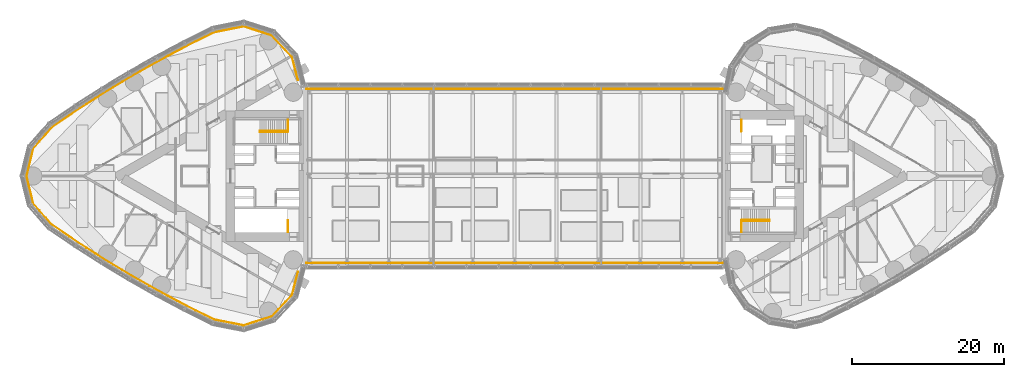
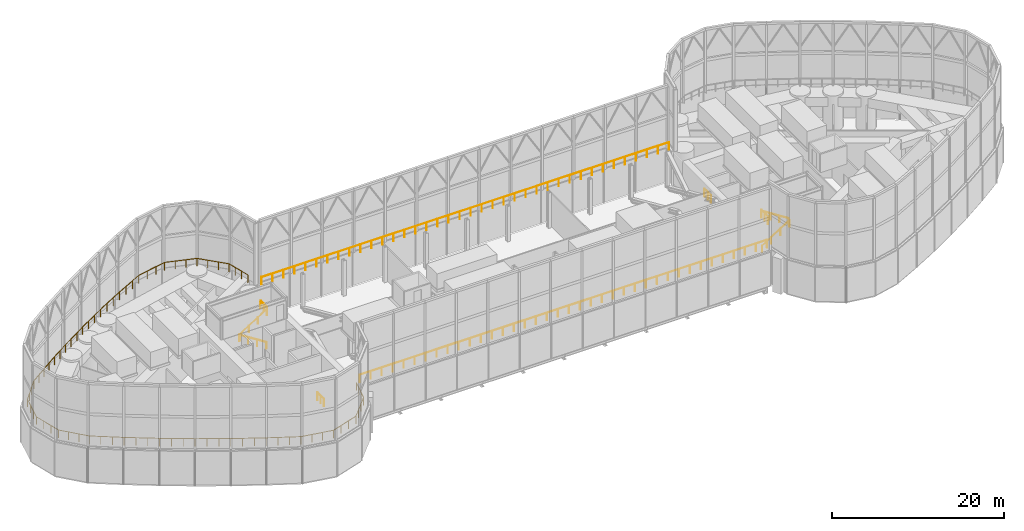
# One storey, part 31 of 33: 11 railings.
"""IFC4 building model written with IfcOpenShell, lengths in metres."""

from ifc_helpers import new_model, si_unit, direction, frame, origin, origin_2d, place, context, subcontext, project, spatial, circle, extrude, material, type_object, element, save


model = new_model("IFC4")

# Units and contexts
model_context = context("Model", 3, precision=1e-05, world=origin(), true_north=direction((0.0, 1.0)))
body_context = subcontext(model_context, "Body", "Model", "MODEL_VIEW")
ifc_project = project(units=[si_unit("LENGTHUNIT", "METRE"), si_unit("AREAUNIT", "SQUARE_METRE"), si_unit("VOLUMEUNIT", "CUBIC_METRE"), si_unit("PLANEANGLEUNIT", "RADIAN"), si_unit("MASSUNIT", "GRAM", prefix="KILO")], contexts=[model_context])

# Site, building, storey
site_placement = place(None, origin())
site = spatial("IfcSite", under=ifc_project, at=site_placement, CompositionType="ELEMENT")
building_placement = place(site_placement, origin())
building = spatial("IfcBuilding", under=site, at=building_placement, Name="Lancet Gate Hotel", CompositionType="ELEMENT")
storey_placement = place(building_placement, frame((0.0, 0.0, 268.300048828125)))
storey = spatial("IfcBuildingStorey", under=building, at=storey_placement, Name="L70", CompositionType="ELEMENT", Elevation=268.300048828125)

# Railings
ifc_material_1 = material(Name="Galvanised steel guard rail", Category="steel")
railing_type_1 = type_object("IfcRailingType", Name="Roof guard rail 1100", PredefinedType="GUARDRAIL", material=ifc_material_1)
railing_1_placement = place(storey_placement, frame((-28.43408203125, -12.60009765625, 5.0)))
element("IfcRailing", 1, at=railing_1_placement, inside=storey, type_object=railing_type_1, Name="T1 roof guard rail 1", PredefinedType="GUARDRAIL", context=body_context, shape_type="SweptSolid", body=[
    extrude(circle(Radius=0.02392578125, at=origin_2d()), frame((0.0, 0.0, 1.076171875), z_axis=(-0.249692900803, -0.96832507728, 0.0), x_axis=(0.96832507728, -0.249692900803, 0.0)), (0.0, 0.0, 1.0), 3.111328125),
    extrude(circle(Radius=0.02392578125, at=origin_2d()), frame((-0.77685546875, -3.0126953125, 1.076171875), z_axis=(-0.68691215527, -0.726740456382, 0.0), x_axis=(0.726740456382, -0.68691215527, 0.0)), (0.0, 0.0, 1.0), 3.8740234375),
    extrude(circle(Radius=0.02392578125, at=origin_2d()), frame((-3.43798828125, -5.828125, 1.076171875), z_axis=(-0.952687947009, -0.30395012029, 0.0), x_axis=(0.30395012029, -0.952687947009, 0.0)), (0.0, 0.0, 1.0), 3.8740234375),
    extrude(circle(Radius=0.02392578125, at=origin_2d()), frame((-7.128662109375, -7.005615234375, 1.076171875), z_axis=(-0.980847482553, 0.194777349735, 0.0), x_axis=(-0.194777349735, -0.980847482553, 0.0)), (0.0, 0.0, 1.0), 3.96337890625),
    extrude(circle(Radius=0.02392578125, at=origin_2d()), frame((-11.01611328125, -6.233642578125, 1.076171875), z_axis=(-0.895222812239, 0.445618801721, 0.0), x_axis=(-0.445618801721, -0.895222812239, 0.0)), (0.0, 0.0, 1.0), 4.043212890625),
    extrude(circle(Radius=0.02392578125, at=origin_2d()), frame((-14.6357421875, -4.431884765625, 1.076171875), z_axis=(-0.882938086803, 0.46948944064, 0.0), x_axis=(-0.46948944064, -0.882938086803, 0.0)), (0.0, 0.0, 1.0), 4.1298828125),
    extrude(circle(Radius=0.02392578125, at=origin_2d()), frame((-18.2822265625, -2.492919921875, 1.076171875), z_axis=(-0.869947796465, 0.49314382428, 0.0), x_axis=(-0.49314382428, -0.869947796465, 0.0)), (0.0, 0.0, 1.0), 4.1298828125),
    extrude(circle(Radius=0.02392578125, at=origin_2d()), frame((-21.875, -0.456298828125, 1.076171875), z_axis=(-0.856358946959, 0.51638101627, 0.0), x_axis=(-0.51638101627, -0.856358946959, 0.0)), (0.0, 0.0, 1.0), 4.1298828125),
    extrude(circle(Radius=0.02392578125, at=origin_2d()), frame((-25.41162109375, 1.67626953125, 1.076171875), z_axis=(-0.842175834519, 0.539202989376, 0.0), x_axis=(-0.539202989376, -0.842175834519, 0.0)), (0.0, 0.0, 1.0), 4.1298828125),
    extrude(circle(Radius=0.02392578125, at=origin_2d()), frame((-28.8896484375, 3.903076171875, 1.076171875), z_axis=(-0.827334628023, 0.561709367265, 0.0), x_axis=(-0.561709367265, -0.827334628023, 0.0)), (0.0, 0.0, 1.0), 4.0478515625),
    extrude(circle(Radius=0.02392578125, at=origin_2d()), frame((-32.238525390625, 6.1767578125, 1.076171875), z_axis=(-0.659885755186, 0.751365949523, 0.0), x_axis=(-0.751365949523, -0.659885755186, 0.0)), (0.0, 0.0, 1.0), 3.7763671875),
    extrude(circle(Radius=0.02392578125, at=origin_2d()), frame((-34.73046875, 9.01416015625, 1.076171875), z_axis=(-0.237927295442, 0.971282967051, 0.0), x_axis=(-0.971282967051, -0.237927295442, 0.0)), (0.0, 0.0, 1.0), 3.69189453125),
    extrude(circle(Radius=0.02392578125, at=origin_2d()), frame((-35.60888671875, 12.60009765625, 1.076171875), z_axis=(0.237927295442, 0.971282967051, 0.0), x_axis=(-0.971282967051, 0.237927295442, 0.0)), (0.0, 0.0, 1.0), 3.69189453125),
    extrude(circle(Radius=0.02392578125, at=origin_2d()), frame((-34.73046875, 16.18603515625, 1.076171875), z_axis=(0.659885755186, 0.751365949523, 0.0), x_axis=(-0.751365949523, 0.659885755186, 0.0)), (0.0, 0.0, 1.0), 3.7763671875),
    extrude(circle(Radius=0.02392578125, at=origin_2d()), frame((-32.238525390625, 19.0234375, 1.076171875), z_axis=(0.827334628023, 0.561709367265, 0.0), x_axis=(-0.561709367265, 0.827334628023, 0.0)), (0.0, 0.0, 1.0), 4.0478515625),
    extrude(circle(Radius=0.02392578125, at=origin_2d()), frame((-28.8896484375, 21.297119140625, 1.076171875), z_axis=(0.842175834519, 0.539202989376, 0.0), x_axis=(-0.539202989376, 0.842175834519, 0.0)), (0.0, 0.0, 1.0), 4.1298828125),
    extrude(circle(Radius=0.02392578125, at=origin_2d()), frame((-25.41162109375, 23.52392578125, 1.076171875), z_axis=(0.856358946959, 0.51638101627, 0.0), x_axis=(-0.51638101627, 0.856358946959, 0.0)), (0.0, 0.0, 1.0), 4.1298828125),
    extrude(circle(Radius=0.02392578125, at=origin_2d()), frame((-21.875, 25.656494140625, 1.076171875), z_axis=(0.869947796465, 0.49314382428, 0.0), x_axis=(-0.49314382428, 0.869947796465, 0.0)), (0.0, 0.0, 1.0), 4.1298828125),
    extrude(circle(Radius=0.02392578125, at=origin_2d()), frame((-18.2822265625, 27.693115234375, 1.076171875), z_axis=(0.882938086803, 0.46948944064, 0.0), x_axis=(-0.46948944064, 0.882938086803, 0.0)), (0.0, 0.0, 1.0), 4.1298828125),
    extrude(circle(Radius=0.02392578125, at=origin_2d()), frame((-14.6357421875, 29.632080078125, 1.076171875), z_axis=(0.895222812239, 0.445618801721, 0.0), x_axis=(-0.445618801721, 0.895222812239, 0.0)), (0.0, 0.0, 1.0), 4.043212890625),
    extrude(circle(Radius=0.02392578125, at=origin_2d()), frame((-11.01611328125, 31.433837890625, 1.076171875), z_axis=(0.980847482553, 0.194777349735, 0.0), x_axis=(-0.194777349735, 0.980847482553, 0.0)), (0.0, 0.0, 1.0), 3.96337890625),
    extrude(circle(Radius=0.02392578125, at=origin_2d()), frame((-7.128662109375, 32.205810546875, 1.076171875), z_axis=(0.952687947009, -0.30395012029, 0.0), x_axis=(0.30395012029, 0.952687947009, 0.0)), (0.0, 0.0, 1.0), 3.8740234375),
    extrude(circle(Radius=0.02392578125, at=origin_2d()), frame((-3.43798828125, 31.0283203125, 1.076171875), z_axis=(0.68691215527, -0.726740456382, 0.0), x_axis=(0.726740456382, 0.68691215527, 0.0)), (0.0, 0.0, 1.0), 3.8740234375),
    extrude(circle(Radius=0.02392578125, at=origin_2d()), frame((-0.77685546875, 28.212890625, 1.076171875), z_axis=(0.249692900803, -0.96832507728, 0.0), x_axis=(0.96832507728, 0.249692900803, 0.0)), (0.0, 0.0, 1.0), 3.111328125),
    extrude(circle(Radius=0.02099609375, at=origin_2d()), origin(), (0.0, 0.0, 1.0), 1.052001953125),
    extrude(circle(Radius=0.02099609375, at=origin_2d()), frame((-0.259033203125, -1.004150390625, 0.0)), (0.0, 0.0, 1.0), 1.052001953125),
    extrude(circle(Radius=0.02099609375, at=origin_2d()), frame((-0.517822265625, -2.008544921875, 0.0)), (0.0, 0.0, 1.0), 1.052001953125),
    extrude(circle(Radius=0.02099609375, at=origin_2d()), frame((-0.77685546875, -3.0126953125, 0.0)), (0.0, 0.0, 1.0), 1.052001953125),
    extrude(circle(Radius=0.02099609375, at=origin_2d()), frame((-1.663818359375, -3.951171875, 0.0)), (0.0, 0.0, 1.0), 1.052001953125),
    extrude(circle(Radius=0.02099609375, at=origin_2d()), frame((-2.551025390625, -4.8896484375, 0.0)), (0.0, 0.0, 1.0), 1.052001953125),
    extrude(circle(Radius=0.02099609375, at=origin_2d()), frame((-3.43798828125, -5.828125, 0.0)), (0.0, 0.0, 1.0), 1.052001953125),
    extrude(circle(Radius=0.02099609375, at=origin_2d()), frame((-4.668212890625, -6.220703125, 0.0)), (0.0, 0.0, 1.0), 1.052001953125),
    extrude(circle(Radius=0.02099609375, at=origin_2d()), frame((-5.8984375, -6.613037109375, 0.0)), (0.0, 0.0, 1.0), 1.052001953125),
    extrude(circle(Radius=0.02099609375, at=origin_2d()), frame((-7.128662109375, -7.005615234375, 0.0)), (0.0, 0.0, 1.0), 1.052001953125),
    extrude(circle(Radius=0.02099609375, at=origin_2d()), frame((-8.424560546875, -6.748291015625, 0.0)), (0.0, 0.0, 1.0), 1.052001953125),
    extrude(circle(Radius=0.02099609375, at=origin_2d()), frame((-9.72021484375, -6.490966796875, 0.0)), (0.0, 0.0, 1.0), 1.052001953125),
    extrude(circle(Radius=0.02099609375, at=origin_2d()), frame((-11.01611328125, -6.233642578125, 0.0)), (0.0, 0.0, 1.0), 1.052001953125),
    extrude(circle(Radius=0.02099609375, at=origin_2d()), frame((-12.22265625, -5.633056640625, 0.0)), (0.0, 0.0, 1.0), 1.052001953125),
    extrude(circle(Radius=0.02099609375, at=origin_2d()), frame((-13.42919921875, -5.032470703125, 0.0)), (0.0, 0.0, 1.0), 1.052001953125),
    extrude(circle(Radius=0.02099609375, at=origin_2d()), frame((-14.6357421875, -4.431884765625, 0.0)), (0.0, 0.0, 1.0), 1.052001953125),
    extrude(circle(Radius=0.02099609375, at=origin_2d()), frame((-15.851318359375, -3.78564453125, 0.0)), (0.0, 0.0, 1.0), 1.052001953125),
    extrude(circle(Radius=0.02099609375, at=origin_2d()), frame((-17.066650390625, -3.13916015625, 0.0)), (0.0, 0.0, 1.0), 1.052001953125),
    extrude(circle(Radius=0.02099609375, at=origin_2d()), frame((-18.2822265625, -2.492919921875, 0.0)), (0.0, 0.0, 1.0), 1.052001953125),
    extrude(circle(Radius=0.02099609375, at=origin_2d()), frame((-19.479736328125, -1.81396484375, 0.0)), (0.0, 0.0, 1.0), 1.052001953125),
    extrude(circle(Radius=0.02099609375, at=origin_2d()), frame((-20.677490234375, -1.13525390625, 0.0)), (0.0, 0.0, 1.0), 1.052001953125),
    extrude(circle(Radius=0.02099609375, at=origin_2d()), frame((-21.875, -0.456298828125, 0.0)), (0.0, 0.0, 1.0), 1.052001953125),
    extrude(circle(Radius=0.02099609375, at=origin_2d()), frame((-23.053955078125, 0.254638671875, 0.0)), (0.0, 0.0, 1.0), 1.052001953125),
    extrude(circle(Radius=0.02099609375, at=origin_2d()), frame((-24.232666015625, 0.96533203125, 0.0)), (0.0, 0.0, 1.0), 1.052001953125),
    extrude(circle(Radius=0.02099609375, at=origin_2d()), frame((-25.41162109375, 1.67626953125, 0.0)), (0.0, 0.0, 1.0), 1.052001953125),
    extrude(circle(Radius=0.02099609375, at=origin_2d()), frame((-26.571044921875, 2.41845703125, 0.0)), (0.0, 0.0, 1.0), 1.052001953125),
    extrude(circle(Radius=0.02099609375, at=origin_2d()), frame((-27.730224609375, 3.160888671875, 0.0)), (0.0, 0.0, 1.0), 1.052001953125),
    extrude(circle(Radius=0.02099609375, at=origin_2d()), frame((-28.8896484375, 3.903076171875, 0.0)), (0.0, 0.0, 1.0), 1.052001953125),
    extrude(circle(Radius=0.02099609375, at=origin_2d()), frame((-30.005859375, 4.660888671875, 0.0)), (0.0, 0.0, 1.0), 1.052001953125),
    extrude(circle(Radius=0.02099609375, at=origin_2d()), frame((-31.122314453125, 5.4189453125, 0.0)), (0.0, 0.0, 1.0), 1.052001953125),
    extrude(circle(Radius=0.02099609375, at=origin_2d()), frame((-32.238525390625, 6.1767578125, 0.0)), (0.0, 0.0, 1.0), 1.052001953125),
    extrude(circle(Radius=0.02099609375, at=origin_2d()), frame((-33.069091796875, 7.12255859375, 0.0)), (0.0, 0.0, 1.0), 1.052001953125),
    extrude(circle(Radius=0.02099609375, at=origin_2d()), frame((-33.89990234375, 8.068359375, 0.0)), (0.0, 0.0, 1.0), 1.052001953125),
    extrude(circle(Radius=0.02099609375, at=origin_2d()), frame((-34.73046875, 9.01416015625, 0.0)), (0.0, 0.0, 1.0), 1.052001953125),
    extrude(circle(Radius=0.02099609375, at=origin_2d()), frame((-35.023193359375, 10.20947265625, 0.0)), (0.0, 0.0, 1.0), 1.052001953125),
    extrude(circle(Radius=0.02099609375, at=origin_2d()), frame((-35.316162109375, 11.40478515625, 0.0)), (0.0, 0.0, 1.0), 1.052001953125),
    extrude(circle(Radius=0.02099609375, at=origin_2d()), frame((-35.60888671875, 12.60009765625, 0.0)), (0.0, 0.0, 1.0), 1.052001953125),
    extrude(circle(Radius=0.02099609375, at=origin_2d()), frame((-35.316162109375, 13.79541015625, 0.0)), (0.0, 0.0, 1.0), 1.052001953125),
    extrude(circle(Radius=0.02099609375, at=origin_2d()), frame((-35.023193359375, 14.99072265625, 0.0)), (0.0, 0.0, 1.0), 1.052001953125),
    extrude(circle(Radius=0.02099609375, at=origin_2d()), frame((-34.73046875, 16.18603515625, 0.0)), (0.0, 0.0, 1.0), 1.052001953125),
    extrude(circle(Radius=0.02099609375, at=origin_2d()), frame((-33.89990234375, 17.1318359375, 0.0)), (0.0, 0.0, 1.0), 1.052001953125),
    extrude(circle(Radius=0.02099609375, at=origin_2d()), frame((-33.069091796875, 18.07763671875, 0.0)), (0.0, 0.0, 1.0), 1.052001953125),
    extrude(circle(Radius=0.02099609375, at=origin_2d()), frame((-32.238525390625, 19.0234375, 0.0)), (0.0, 0.0, 1.0), 1.052001953125),
    extrude(circle(Radius=0.02099609375, at=origin_2d()), frame((-31.122314453125, 19.78125, 0.0)), (0.0, 0.0, 1.0), 1.052001953125),
    extrude(circle(Radius=0.02099609375, at=origin_2d()), frame((-30.005859375, 20.539306640625, 0.0)), (0.0, 0.0, 1.0), 1.052001953125),
    extrude(circle(Radius=0.02099609375, at=origin_2d()), frame((-28.8896484375, 21.297119140625, 0.0)), (0.0, 0.0, 1.0), 1.052001953125),
    extrude(circle(Radius=0.02099609375, at=origin_2d()), frame((-27.730224609375, 22.039306640625, 0.0)), (0.0, 0.0, 1.0), 1.052001953125),
    extrude(circle(Radius=0.02099609375, at=origin_2d()), frame((-26.571044921875, 22.78173828125, 0.0)), (0.0, 0.0, 1.0), 1.052001953125),
    extrude(circle(Radius=0.02099609375, at=origin_2d()), frame((-25.41162109375, 23.52392578125, 0.0)), (0.0, 0.0, 1.0), 1.052001953125),
    extrude(circle(Radius=0.02099609375, at=origin_2d()), frame((-24.232666015625, 24.23486328125, 0.0)), (0.0, 0.0, 1.0), 1.052001953125),
    extrude(circle(Radius=0.02099609375, at=origin_2d()), frame((-23.053955078125, 24.945556640625, 0.0)), (0.0, 0.0, 1.0), 1.052001953125),
    extrude(circle(Radius=0.02099609375, at=origin_2d()), frame((-21.875, 25.656494140625, 0.0)), (0.0, 0.0, 1.0), 1.052001953125),
    extrude(circle(Radius=0.02099609375, at=origin_2d()), frame((-20.677490234375, 26.33544921875, 0.0)), (0.0, 0.0, 1.0), 1.052001953125),
    extrude(circle(Radius=0.02099609375, at=origin_2d()), frame((-19.479736328125, 27.01416015625, 0.0)), (0.0, 0.0, 1.0), 1.052001953125),
    extrude(circle(Radius=0.02099609375, at=origin_2d()), frame((-18.2822265625, 27.693115234375, 0.0)), (0.0, 0.0, 1.0), 1.052001953125),
    extrude(circle(Radius=0.02099609375, at=origin_2d()), frame((-17.066650390625, 28.33935546875, 0.0)), (0.0, 0.0, 1.0), 1.052001953125),
    extrude(circle(Radius=0.02099609375, at=origin_2d()), frame((-15.851318359375, 28.98583984375, 0.0)), (0.0, 0.0, 1.0), 1.052001953125),
    extrude(circle(Radius=0.02099609375, at=origin_2d()), frame((-14.6357421875, 29.632080078125, 0.0)), (0.0, 0.0, 1.0), 1.052001953125),
    extrude(circle(Radius=0.02099609375, at=origin_2d()), frame((-13.42919921875, 30.232666015625, 0.0)), (0.0, 0.0, 1.0), 1.052001953125),
    extrude(circle(Radius=0.02099609375, at=origin_2d()), frame((-12.22265625, 30.833251953125, 0.0)), (0.0, 0.0, 1.0), 1.052001953125),
    extrude(circle(Radius=0.02099609375, at=origin_2d()), frame((-11.01611328125, 31.433837890625, 0.0)), (0.0, 0.0, 1.0), 1.052001953125),
    extrude(circle(Radius=0.02099609375, at=origin_2d()), frame((-9.72021484375, 31.691162109375, 0.0)), (0.0, 0.0, 1.0), 1.052001953125),
    extrude(circle(Radius=0.02099609375, at=origin_2d()), frame((-8.424560546875, 31.948486328125, 0.0)), (0.0, 0.0, 1.0), 1.052001953125),
    extrude(circle(Radius=0.02099609375, at=origin_2d()), frame((-7.128662109375, 32.205810546875, 0.0)), (0.0, 0.0, 1.0), 1.052001953125),
    extrude(circle(Radius=0.02099609375, at=origin_2d()), frame((-5.8984375, 31.813232421875, 0.0)), (0.0, 0.0, 1.0), 1.052001953125),
    extrude(circle(Radius=0.02099609375, at=origin_2d()), frame((-4.668212890625, 31.4208984375, 0.0)), (0.0, 0.0, 1.0), 1.052001953125),
    extrude(circle(Radius=0.02099609375, at=origin_2d()), frame((-3.43798828125, 31.0283203125, 0.0)), (0.0, 0.0, 1.0), 1.052001953125),
    extrude(circle(Radius=0.02099609375, at=origin_2d()), frame((-2.551025390625, 30.08984375, 0.0)), (0.0, 0.0, 1.0), 1.052001953125),
    extrude(circle(Radius=0.02099609375, at=origin_2d()), frame((-1.663818359375, 29.1513671875, 0.0)), (0.0, 0.0, 1.0), 1.052001953125),
    extrude(circle(Radius=0.02099609375, at=origin_2d()), frame((-0.77685546875, 28.212890625, 0.0)), (0.0, 0.0, 1.0), 1.052001953125),
    extrude(circle(Radius=0.02099609375, at=origin_2d()), frame((-0.517822265625, 27.208740234375, 0.0)), (0.0, 0.0, 1.0), 1.052001953125),
    extrude(circle(Radius=0.02099609375, at=origin_2d()), frame((-0.259033203125, 26.204345703125, 0.0)), (0.0, 0.0, 1.0), 1.052001953125),
    extrude(circle(Radius=0.02099609375, at=origin_2d()), frame((0.0, 25.2001953125, 0.0)), (0.0, 0.0, 1.0), 1.052001953125),
])
railing_2_placement = place(storey_placement, frame((-27.300048828125, -11.39990234375, 5.0)))
element("IfcRailing", 2, at=railing_2_placement, inside=storey, type_object=railing_type_1, Name="Bridge block roof guard rail S", PredefinedType="GUARDRAIL", context=body_context, shape_type="SweptSolid", body=[
    extrude(circle(Radius=0.02392578125, at=origin_2d()), frame((0.0, 0.0, 1.076171875), z_axis=(1.0, 0.0, 0.0), x_axis=(0.0, 1.0, 0.0)), (0.0, 0.0, 1.0), 54.60009765625),
    extrude(circle(Radius=0.02099609375, at=origin_2d()), origin(), (0.0, 0.0, 1.0), 1.052001953125),
    extrude(circle(Radius=0.02099609375, at=origin_2d()), frame((1.4755859375, 0.0, 0.0)), (0.0, 0.0, 1.0), 1.052001953125),
    extrude(circle(Radius=0.02099609375, at=origin_2d()), frame((2.951416015625, 0.0, 0.0)), (0.0, 0.0, 1.0), 1.052001953125),
    extrude(circle(Radius=0.02099609375, at=origin_2d()), frame((4.427001953125, 0.0, 0.0)), (0.0, 0.0, 1.0), 1.052001953125),
    extrude(circle(Radius=0.02099609375, at=origin_2d()), frame((5.90283203125, 0.0, 0.0)), (0.0, 0.0, 1.0), 1.052001953125),
    extrude(circle(Radius=0.02099609375, at=origin_2d()), frame((7.37841796875, 0.0, 0.0)), (0.0, 0.0, 1.0), 1.052001953125),
    extrude(circle(Radius=0.02099609375, at=origin_2d()), frame((8.85400390625, 0.0, 0.0)), (0.0, 0.0, 1.0), 1.052001953125),
    extrude(circle(Radius=0.02099609375, at=origin_2d()), frame((10.329833984375, 0.0, 0.0)), (0.0, 0.0, 1.0), 1.052001953125),
    extrude(circle(Radius=0.02099609375, at=origin_2d()), frame((11.805419921875, 0.0, 0.0)), (0.0, 0.0, 1.0), 1.052001953125),
    extrude(circle(Radius=0.02099609375, at=origin_2d()), frame((13.281005859375, 0.0, 0.0)), (0.0, 0.0, 1.0), 1.052001953125),
    extrude(circle(Radius=0.02099609375, at=origin_2d()), frame((14.7568359375, 0.0, 0.0)), (0.0, 0.0, 1.0), 1.052001953125),
    extrude(circle(Radius=0.02099609375, at=origin_2d()), frame((16.232421875, 0.0, 0.0)), (0.0, 0.0, 1.0), 1.052001953125),
    extrude(circle(Radius=0.02099609375, at=origin_2d()), frame((17.708251953125, 0.0, 0.0)), (0.0, 0.0, 1.0), 1.052001953125),
    extrude(circle(Radius=0.02099609375, at=origin_2d()), frame((19.183837890625, 0.0, 0.0)), (0.0, 0.0, 1.0), 1.052001953125),
    extrude(circle(Radius=0.02099609375, at=origin_2d()), frame((20.659423828125, 0.0, 0.0)), (0.0, 0.0, 1.0), 1.052001953125),
    extrude(circle(Radius=0.02099609375, at=origin_2d()), frame((22.13525390625, 0.0, 0.0)), (0.0, 0.0, 1.0), 1.052001953125),
    extrude(circle(Radius=0.02099609375, at=origin_2d()), frame((23.61083984375, 0.0, 0.0)), (0.0, 0.0, 1.0), 1.052001953125),
    extrude(circle(Radius=0.02099609375, at=origin_2d()), frame((25.08642578125, 0.0, 0.0)), (0.0, 0.0, 1.0), 1.052001953125),
    extrude(circle(Radius=0.02099609375, at=origin_2d()), frame((26.562255859375, 0.0, 0.0)), (0.0, 0.0, 1.0), 1.052001953125),
    extrude(circle(Radius=0.02099609375, at=origin_2d()), frame((28.037841796875, 0.0, 0.0)), (0.0, 0.0, 1.0), 1.052001953125),
    extrude(circle(Radius=0.02099609375, at=origin_2d()), frame((29.513671875, 0.0, 0.0)), (0.0, 0.0, 1.0), 1.052001953125),
    extrude(circle(Radius=0.02099609375, at=origin_2d()), frame((30.9892578125, 0.0, 0.0)), (0.0, 0.0, 1.0), 1.052001953125),
    extrude(circle(Radius=0.02099609375, at=origin_2d()), frame((32.46484375, 0.0, 0.0)), (0.0, 0.0, 1.0), 1.052001953125),
    extrude(circle(Radius=0.02099609375, at=origin_2d()), frame((33.940673828125, 0.0, 0.0)), (0.0, 0.0, 1.0), 1.052001953125),
    extrude(circle(Radius=0.02099609375, at=origin_2d()), frame((35.416259765625, 0.0, 0.0)), (0.0, 0.0, 1.0), 1.052001953125),
    extrude(circle(Radius=0.02099609375, at=origin_2d()), frame((36.891845703125, 0.0, 0.0)), (0.0, 0.0, 1.0), 1.052001953125),
    extrude(circle(Radius=0.02099609375, at=origin_2d()), frame((38.36767578125, 0.0, 0.0)), (0.0, 0.0, 1.0), 1.052001953125),
    extrude(circle(Radius=0.02099609375, at=origin_2d()), frame((39.84326171875, 0.0, 0.0)), (0.0, 0.0, 1.0), 1.052001953125),
    extrude(circle(Radius=0.02099609375, at=origin_2d()), frame((41.319091796875, 0.0, 0.0)), (0.0, 0.0, 1.0), 1.052001953125),
    extrude(circle(Radius=0.02099609375, at=origin_2d()), frame((42.794677734375, 0.0, 0.0)), (0.0, 0.0, 1.0), 1.052001953125),
    extrude(circle(Radius=0.02099609375, at=origin_2d()), frame((44.270263671875, 0.0, 0.0)), (0.0, 0.0, 1.0), 1.052001953125),
    extrude(circle(Radius=0.02099609375, at=origin_2d()), frame((45.74609375, 0.0, 0.0)), (0.0, 0.0, 1.0), 1.052001953125),
    extrude(circle(Radius=0.02099609375, at=origin_2d()), frame((47.2216796875, 0.0, 0.0)), (0.0, 0.0, 1.0), 1.052001953125),
    extrude(circle(Radius=0.02099609375, at=origin_2d()), frame((48.697265625, 0.0, 0.0)), (0.0, 0.0, 1.0), 1.052001953125),
    extrude(circle(Radius=0.02099609375, at=origin_2d()), frame((50.173095703125, 0.0, 0.0)), (0.0, 0.0, 1.0), 1.052001953125),
    extrude(circle(Radius=0.02099609375, at=origin_2d()), frame((51.648681640625, 0.0, 0.0)), (0.0, 0.0, 1.0), 1.052001953125),
    extrude(circle(Radius=0.02099609375, at=origin_2d()), frame((53.12451171875, 0.0, 0.0)), (0.0, 0.0, 1.0), 1.052001953125),
    extrude(circle(Radius=0.02099609375, at=origin_2d()), frame((54.60009765625, 0.0, 0.0)), (0.0, 0.0, 1.0), 1.052001953125),
])
railing_3_placement = place(storey_placement, frame((27.300048828125, 11.39990234375, 5.0)))
element("IfcRailing", 3, at=railing_3_placement, inside=storey, type_object=railing_type_1, Name="Bridge block roof guard rail N", PredefinedType="GUARDRAIL", context=body_context, shape_type="SweptSolid", body=[
    extrude(circle(Radius=0.02392578125, at=origin_2d()), frame((0.0, 0.0, 1.076171875), z_axis=(-1.0, 0.0, 0.0), x_axis=(0.0, -1.0, 0.0)), (0.0, 0.0, 1.0), 54.60009765625),
    extrude(circle(Radius=0.02099609375, at=origin_2d()), origin(), (0.0, 0.0, 1.0), 1.052001953125),
    extrude(circle(Radius=0.02099609375, at=origin_2d()), frame((-1.4755859375, 0.0, 0.0)), (0.0, 0.0, 1.0), 1.052001953125),
    extrude(circle(Radius=0.02099609375, at=origin_2d()), frame((-2.951416015625, 0.0, 0.0)), (0.0, 0.0, 1.0), 1.052001953125),
    extrude(circle(Radius=0.02099609375, at=origin_2d()), frame((-4.427001953125, 0.0, 0.0)), (0.0, 0.0, 1.0), 1.052001953125),
    extrude(circle(Radius=0.02099609375, at=origin_2d()), frame((-5.90283203125, 0.0, 0.0)), (0.0, 0.0, 1.0), 1.052001953125),
    extrude(circle(Radius=0.02099609375, at=origin_2d()), frame((-7.37841796875, 0.0, 0.0)), (0.0, 0.0, 1.0), 1.052001953125),
    extrude(circle(Radius=0.02099609375, at=origin_2d()), frame((-8.85400390625, 0.0, 0.0)), (0.0, 0.0, 1.0), 1.052001953125),
    extrude(circle(Radius=0.02099609375, at=origin_2d()), frame((-10.329833984375, 0.0, 0.0)), (0.0, 0.0, 1.0), 1.052001953125),
    extrude(circle(Radius=0.02099609375, at=origin_2d()), frame((-11.805419921875, 0.0, 0.0)), (0.0, 0.0, 1.0), 1.052001953125),
    extrude(circle(Radius=0.02099609375, at=origin_2d()), frame((-13.281005859375, 0.0, 0.0)), (0.0, 0.0, 1.0), 1.052001953125),
    extrude(circle(Radius=0.02099609375, at=origin_2d()), frame((-14.7568359375, 0.0, 0.0)), (0.0, 0.0, 1.0), 1.052001953125),
    extrude(circle(Radius=0.02099609375, at=origin_2d()), frame((-16.232421875, 0.0, 0.0)), (0.0, 0.0, 1.0), 1.052001953125),
    extrude(circle(Radius=0.02099609375, at=origin_2d()), frame((-17.708251953125, 0.0, 0.0)), (0.0, 0.0, 1.0), 1.052001953125),
    extrude(circle(Radius=0.02099609375, at=origin_2d()), frame((-19.183837890625, 0.0, 0.0)), (0.0, 0.0, 1.0), 1.052001953125),
    extrude(circle(Radius=0.02099609375, at=origin_2d()), frame((-20.659423828125, 0.0, 0.0)), (0.0, 0.0, 1.0), 1.052001953125),
    extrude(circle(Radius=0.02099609375, at=origin_2d()), frame((-22.13525390625, 0.0, 0.0)), (0.0, 0.0, 1.0), 1.052001953125),
    extrude(circle(Radius=0.02099609375, at=origin_2d()), frame((-23.61083984375, 0.0, 0.0)), (0.0, 0.0, 1.0), 1.052001953125),
    extrude(circle(Radius=0.02099609375, at=origin_2d()), frame((-25.08642578125, 0.0, 0.0)), (0.0, 0.0, 1.0), 1.052001953125),
    extrude(circle(Radius=0.02099609375, at=origin_2d()), frame((-26.562255859375, 0.0, 0.0)), (0.0, 0.0, 1.0), 1.052001953125),
    extrude(circle(Radius=0.02099609375, at=origin_2d()), frame((-28.037841796875, 0.0, 0.0)), (0.0, 0.0, 1.0), 1.052001953125),
    extrude(circle(Radius=0.02099609375, at=origin_2d()), frame((-29.513671875, 0.0, 0.0)), (0.0, 0.0, 1.0), 1.052001953125),
    extrude(circle(Radius=0.02099609375, at=origin_2d()), frame((-30.9892578125, 0.0, 0.0)), (0.0, 0.0, 1.0), 1.052001953125),
    extrude(circle(Radius=0.02099609375, at=origin_2d()), frame((-32.46484375, 0.0, 0.0)), (0.0, 0.0, 1.0), 1.052001953125),
    extrude(circle(Radius=0.02099609375, at=origin_2d()), frame((-33.940673828125, 0.0, 0.0)), (0.0, 0.0, 1.0), 1.052001953125),
    extrude(circle(Radius=0.02099609375, at=origin_2d()), frame((-35.416259765625, 0.0, 0.0)), (0.0, 0.0, 1.0), 1.052001953125),
    extrude(circle(Radius=0.02099609375, at=origin_2d()), frame((-36.891845703125, 0.0, 0.0)), (0.0, 0.0, 1.0), 1.052001953125),
    extrude(circle(Radius=0.02099609375, at=origin_2d()), frame((-38.36767578125, 0.0, 0.0)), (0.0, 0.0, 1.0), 1.052001953125),
    extrude(circle(Radius=0.02099609375, at=origin_2d()), frame((-39.84326171875, 0.0, 0.0)), (0.0, 0.0, 1.0), 1.052001953125),
    extrude(circle(Radius=0.02099609375, at=origin_2d()), frame((-41.319091796875, 0.0, 0.0)), (0.0, 0.0, 1.0), 1.052001953125),
    extrude(circle(Radius=0.02099609375, at=origin_2d()), frame((-42.794677734375, 0.0, 0.0)), (0.0, 0.0, 1.0), 1.052001953125),
    extrude(circle(Radius=0.02099609375, at=origin_2d()), frame((-44.270263671875, 0.0, 0.0)), (0.0, 0.0, 1.0), 1.052001953125),
    extrude(circle(Radius=0.02099609375, at=origin_2d()), frame((-45.74609375, 0.0, 0.0)), (0.0, 0.0, 1.0), 1.052001953125),
    extrude(circle(Radius=0.02099609375, at=origin_2d()), frame((-47.2216796875, 0.0, 0.0)), (0.0, 0.0, 1.0), 1.052001953125),
    extrude(circle(Radius=0.02099609375, at=origin_2d()), frame((-48.697265625, 0.0, 0.0)), (0.0, 0.0, 1.0), 1.052001953125),
    extrude(circle(Radius=0.02099609375, at=origin_2d()), frame((-50.173095703125, 0.0, 0.0)), (0.0, 0.0, 1.0), 1.052001953125),
    extrude(circle(Radius=0.02099609375, at=origin_2d()), frame((-51.648681640625, 0.0, 0.0)), (0.0, 0.0, 1.0), 1.052001953125),
    extrude(circle(Radius=0.02099609375, at=origin_2d()), frame((-53.12451171875, 0.0, 0.0)), (0.0, 0.0, 1.0), 1.052001953125),
    extrude(circle(Radius=0.02099609375, at=origin_2d()), frame((-54.60009765625, 0.0, 0.0)), (0.0, 0.0, 1.0), 1.052001953125),
])
ifc_material_2 = material(Name="Stainless steel handrail", Category="steel")
railing_type_2 = type_object("IfcRailingType", Name="Stair handrail 900", PredefinedType="HANDRAIL", material=ifc_material_2)
railing_4_placement = place(storey_placement, frame((-29.800048828125, 5.929931640625, 0.178466796875)))
element("IfcRailing", 4, at=railing_4_placement, inside=storey, type_object=railing_type_2, Name="ST1 handrail flight 1 L70", PredefinedType="HANDRAIL", context=body_context, shape_type="SweptSolid", body=[
    extrude(circle(Radius=0.02392578125, at=origin_2d()), frame((0.0, 0.0, 0.8759765625), z_axis=(-0.843111507901, 0.0, 0.53773877045), x_axis=(0.0, -1.0, 0.0)), (0.0, 0.0, 1.0), 4.317138671875),
    extrude(circle(Radius=0.02099609375, at=origin_2d()), origin(), (0.0, 0.0, 1.0), 0.851806640625),
    extrude(circle(Radius=0.02099609375, at=origin_2d()), frame((-1.21337890625, 0.0, 0.77392578125)), (0.0, 0.0, 1.0), 0.851806640625),
    extrude(circle(Radius=0.02099609375, at=origin_2d()), frame((-2.426513671875, 0.0, 1.547607421875)), (0.0, 0.0, 1.0), 0.851806640625),
    extrude(circle(Radius=0.02099609375, at=origin_2d()), frame((-3.639892578125, 0.0, 2.321533203125)), (0.0, 0.0, 1.0), 0.851806640625),
])
for number, where, name in (
    (5, (-33.43994140625, 5.77001953125, 2.678466796875), "ST1 handrail flight 2 L70"),
    (6, (29.800048828125, -5.929931640625, 0.178466796875), "ST3 handrail flight 1 L70"),
):
    element("IfcRailing", number, at=place(storey_placement, frame(where)), inside=storey, type_object=railing_type_2, Name=name, PredefinedType="HANDRAIL", context=body_context, shape_type="SweptSolid", body=[
        extrude(circle(Radius=0.02392578125, at=origin_2d()), frame((0.0, 0.0, 0.8759765625), z_axis=(0.843111507901, 0.0, 0.53773877045), x_axis=(0.0, 1.0, 0.0)), (0.0, 0.0, 1.0), 4.317138671875),
        extrude(circle(Radius=0.02099609375, at=origin_2d()), origin(), (0.0, 0.0, 1.0), 0.851806640625),
        extrude(circle(Radius=0.02099609375, at=origin_2d()), frame((1.21337890625, 0.0, 0.77392578125)), (0.0, 0.0, 1.0), 0.851806640625),
        extrude(circle(Radius=0.02099609375, at=origin_2d()), frame((2.426513671875, 0.0, 1.547607421875)), (0.0, 0.0, 1.0), 0.851806640625),
        extrude(circle(Radius=0.02099609375, at=origin_2d()), frame((3.639892578125, 0.0, 2.321533203125)), (0.0, 0.0, 1.0), 0.851806640625),
    ])
railing_5_placement = place(storey_placement, frame((33.43994140625, -5.77001953125, 2.678466796875)))
element("IfcRailing", 7, at=railing_5_placement, inside=storey, type_object=railing_type_2, Name="ST3 handrail flight 2 L70", PredefinedType="HANDRAIL", context=body_context, shape_type="SweptSolid", body=[
    extrude(circle(Radius=0.02392578125, at=origin_2d()), frame((0.0, 0.0, 0.8759765625), z_axis=(-0.843111507901, 0.0, 0.53773877045), x_axis=(0.0, -1.0, 0.0)), (0.0, 0.0, 1.0), 4.317138671875),
    extrude(circle(Radius=0.02099609375, at=origin_2d()), origin(), (0.0, 0.0, 1.0), 0.851806640625),
    extrude(circle(Radius=0.02099609375, at=origin_2d()), frame((-1.21337890625, 0.0, 0.77392578125)), (0.0, 0.0, 1.0), 0.851806640625),
    extrude(circle(Radius=0.02099609375, at=origin_2d()), frame((-2.426513671875, 0.0, 1.547607421875)), (0.0, 0.0, 1.0), 0.851806640625),
    extrude(circle(Radius=0.02099609375, at=origin_2d()), frame((-3.639892578125, 0.0, 2.321533203125)), (0.0, 0.0, 1.0), 0.851806640625),
])
ifc_material_3 = material(Name="Steel guard rail", Category="steel")
railing_type_3 = type_object("IfcRailingType", Name="Stair well guard 1100", PredefinedType="GUARDRAIL", material=ifc_material_3)
for number, where, name in (
    (8, (-29.75, 7.35009765625, 5.0), "ST1 well guard L70 roof"),
    (9, (-29.75, -5.85009765625, 0.0), "ST2 well guard L70"),
):
    element("IfcRailing", number, at=place(storey_placement, frame(where)), inside=storey, type_object=railing_type_3, Name=name, PredefinedType="GUARDRAIL", context=body_context, shape_type="SweptSolid", body=[
        extrude(circle(Radius=0.02392578125, at=origin_2d()), frame((0.0, 0.0, 1.076171875), z_axis=(0.0, -1.0, 0.0), x_axis=(1.0, 0.0, 0.0)), (0.0, 0.0, 1.0), 1.5),
        extrude(circle(Radius=0.02099609375, at=origin_2d()), origin(), (0.0, 0.0, 1.0), 1.052001953125),
        extrude(circle(Radius=0.02099609375, at=origin_2d()), frame((0.0, -0.75, 0.0)), (0.0, 0.0, 1.0), 1.052001953125),
        extrude(circle(Radius=0.02099609375, at=origin_2d()), frame((0.0, -1.5, 0.0)), (0.0, 0.0, 1.0), 1.052001953125),
    ])
for number, where, name in (
    (10, (29.75, -7.35009765625, 5.0), "ST3 well guard L70 roof"),
    (11, (29.75, 5.85009765625, 0.0), "ST4 well guard L70"),
):
    element("IfcRailing", number, at=place(storey_placement, frame(where)), inside=storey, type_object=railing_type_3, Name=name, PredefinedType="GUARDRAIL", context=body_context, shape_type="SweptSolid", body=[
        extrude(circle(Radius=0.02392578125, at=origin_2d()), frame((0.0, 0.0, 1.076171875), z_axis=(0.0, 1.0, 0.0), x_axis=(-1.0, 0.0, 0.0)), (0.0, 0.0, 1.0), 1.5),
        extrude(circle(Radius=0.02099609375, at=origin_2d()), origin(), (0.0, 0.0, 1.0), 1.052001953125),
        extrude(circle(Radius=0.02099609375, at=origin_2d()), frame((0.0, 0.75, 0.0)), (0.0, 0.0, 1.0), 1.052001953125),
        extrude(circle(Radius=0.02099609375, at=origin_2d()), frame((0.0, 1.5, 0.0)), (0.0, 0.0, 1.0), 1.052001953125),
    ])

save(model, "model.ifc")
